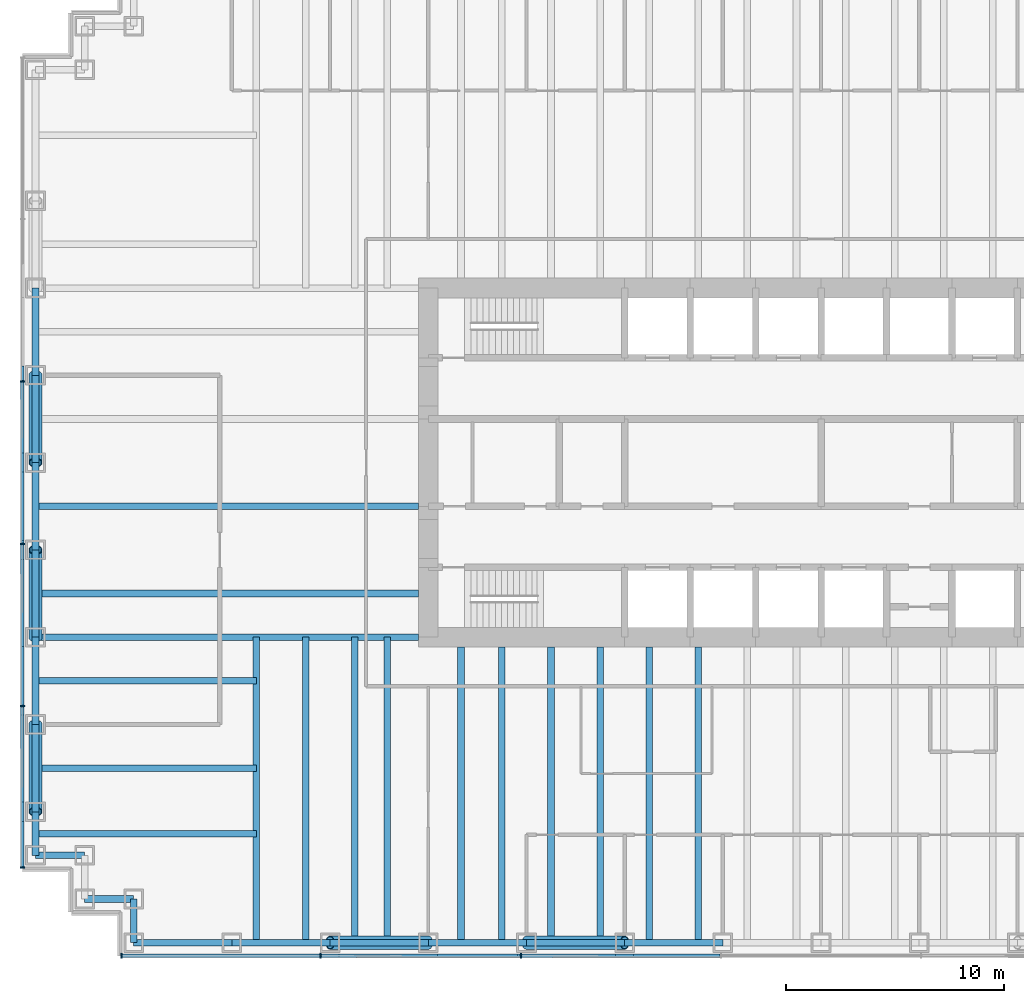
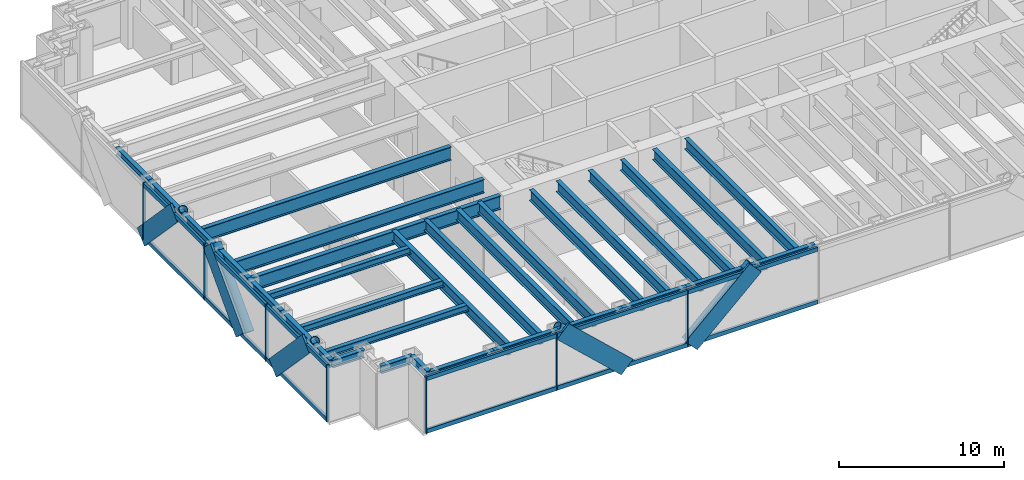
# One storey, part 2 of 16: 32 beams, 29 members, 2 elements without a shape of their own.
"""IFC4 building model written with IfcOpenShell, lengths in metres."""

from ifc_helpers import new_model, si_unit, direction, frame, origin, origin_2d, place, context, subcontext, project, spatial, rectangle, hollow_circle, i_section, extrude, material, material_profile, profile_set, type_object, element, aggregate, save


model = new_model("IFC4")

# Units and contexts
model_context = context("Model", 3, precision=1e-05, world=origin(), true_north=direction((0.0, 1.0)))
body_context = subcontext(model_context, "Body", "Model", "MODEL_VIEW")
ifc_project = project(units=[si_unit("LENGTHUNIT", "METRE"), si_unit("AREAUNIT", "SQUARE_METRE"), si_unit("VOLUMEUNIT", "CUBIC_METRE"), si_unit("PLANEANGLEUNIT", "RADIAN"), si_unit("MASSUNIT", "GRAM", prefix="KILO")], contexts=[model_context])

# Site, building, storey
site_placement = place(None, origin())
site = spatial("IfcSite", under=ifc_project, at=site_placement, CompositionType="ELEMENT")
building_placement = place(site_placement, origin())
building = spatial("IfcBuilding", under=site, at=building_placement, Name="Rheinbord Bourse Tower", CompositionType="ELEMENT")
storey_placement = place(building_placement, frame((0.0, 0.0, 171.89990234375)))
storey = spatial("IfcBuildingStorey", under=building, at=storey_placement, Name="L38", CompositionType="ELEMENT", Elevation=171.89990234375)

# Curtain wall, members
ifc_material_1 = material(Name="Dark glass and black aluminium", Category="aluminium")
curtain_wall_type = type_object("IfcCurtainWallType", Name="CW2 DARK GLASS CURTAIN WALL", PredefinedType="USERDEFINED", material=ifc_material_1)
curtain_wall_1_placement = place(storey_placement, origin())
curtain_wall_1 = element("IfcCurtainWall", 1, at=curtain_wall_1_placement, inside=storey, type_object=curtain_wall_type, Name="Curtain wall CW2 S L38", ObjectType="UNITISED CURTAIN WALL", PredefinedType="USERDEFINED")
ifc_material_2 = material(Name="Black anodised aluminium", Category="aluminium")
ifc_material_profile_1 = material_profile(ifc_material_2, rectangle(XDim=0.159912109375, YDim=1.2099609375, at=origin_2d()), Name="CW2 DIAGONAL MULLION 1210x160")
ifc_profile_set_1 = profile_set([ifc_material_profile_1], Name="Black anodised aluminium")
member_type_1 = type_object("IfcMemberType", Name="CW2 BLACK DIAGONAL MULLION", PredefinedType="USERDEFINED", material=ifc_profile_set_1)
member_1_placement = place(storey_placement, frame((18.0, 1.39990234375, 0.0), z_axis=(-0.731039441158, 0.0, 0.682335207557), x_axis=(0.0, -1.0, 0.0)))
member_1 = element("IfcMember", 2, at=member_1_placement, type_object=member_type_1, Name="CW2 diagonal mullion b", ObjectType="DIAGONAL MULLION", PredefinedType="USERDEFINED", context=body_context, shape_type="SweptSolid", body=[
    extrude(rectangle(XDim=0.159912109375, YDim=1.2099609375, at=origin_2d()), origin(), (0.0, 0.0, 1.0), 6.155517578125),
])
member_2_placement = place(storey_placement, frame((22.5, 1.39990234375, 0.0), z_axis=(0.731039441158, 0.0, 0.682335207557), x_axis=(0.0, 1.0, 0.0)))
member_2 = element("IfcMember", 3, at=member_2_placement, type_object=member_type_1, Name="CW2 diagonal mullion d", ObjectType="DIAGONAL MULLION", PredefinedType="USERDEFINED", context=body_context, shape_type="SweptSolid", body=[
    extrude(rectangle(XDim=0.159912109375, YDim=1.2099609375, at=origin_2d()), origin(), (0.0, 0.0, 1.0), 6.155517578125),
])

curtain_wall_2_placement = place(storey_placement, origin())
curtain_wall_2 = element("IfcCurtainWall", 4, at=curtain_wall_2_placement, inside=storey, type_object=curtain_wall_type, Name="Curtain wall CW2 W L38", ObjectType="UNITISED CURTAIN WALL", PredefinedType="USERDEFINED")
member_3_placement = place(storey_placement, frame((-0.60009765625, 16.0, 0.0), z_axis=(0.0, 0.689638355374, 0.72415394689), x_axis=(-1.0, 0.0, 0.0)))
member_3 = element("IfcMember", 5, at=member_3_placement, type_object=member_type_1, Name="CW2 diagonal mullion a", ObjectType="DIAGONAL MULLION", PredefinedType="USERDEFINED", context=body_context, shape_type="SweptSolid", body=[
    extrude(rectangle(XDim=0.159912109375, YDim=1.2099609375, at=origin_2d()), origin(), (0.0, 0.0, 1.0), 5.800048828125),
])
member_4_placement = place(storey_placement, frame((-0.60009765625, 28.0, 0.0), z_axis=(0.0, -0.689638355374, 0.72415394689), x_axis=(1.0, 0.0, 0.0)))
member_4 = element("IfcMember", 6, at=member_4_placement, type_object=member_type_1, Name="CW2 diagonal mullion b", ObjectType="DIAGONAL MULLION", PredefinedType="USERDEFINED", context=body_context, shape_type="SweptSolid", body=[
    extrude(rectangle(XDim=0.159912109375, YDim=1.2099609375, at=origin_2d()), origin(), (0.0, 0.0, 1.0), 5.800048828125),
])
member_5_placement = place(storey_placement, frame((-0.60009765625, 12.0, 0.0), z_axis=(0.0, -0.689638355374, 0.72415394689), x_axis=(1.0, 0.0, 0.0)))
member_5 = element("IfcMember", 7, at=member_5_placement, type_object=member_type_1, Name="CW2 diagonal mullion d", ObjectType="DIAGONAL MULLION", PredefinedType="USERDEFINED", context=body_context, shape_type="SweptSolid", body=[
    extrude(rectangle(XDim=0.159912109375, YDim=1.2099609375, at=origin_2d()), origin(), (0.0, 0.0, 1.0), 5.800048828125),
])

# Member
ifc_material_3 = material(Name="Black anodised aluminium", Category="aluminium")
ifc_material_profile_2 = material_profile(ifc_material_3, rectangle(XDim=0.219970703125, YDim=0.070068359375, at=origin_2d()), Name="CW2 MULLION 70x220")
ifc_profile_set_2 = profile_set([ifc_material_profile_2], Name="Black anodised aluminium")
member_type_2 = type_object("IfcMemberType", Name="CW2 BLACK MULLION", PredefinedType="MULLION", material=ifc_profile_set_2)
member_6_placement = place(storey_placement, frame((3.93505859375, 1.39990234375, 0.0), z_axis=(0.0, 0.0, 1.0), x_axis=(0.0, 1.0, 0.0)))
member_6 = element("IfcMember", 8, at=member_6_placement, type_object=member_type_2, Name="CW2 mullion 1", PredefinedType="MULLION", context=body_context, shape_type="SweptSolid", body=[
    extrude(rectangle(XDim=0.219970703125, YDim=0.070068359375, at=origin_2d()), origin(), (0.0, 0.0, 1.0), 4.2001953125),
])

member_7_placement = place(storey_placement, frame((13.071533203125, 1.39990234375, 0.0), z_axis=(0.0, 0.0, 1.0), x_axis=(0.0, 1.0, 0.0)))
member_7 = element("IfcMember", 9, at=member_7_placement, type_object=member_type_2, Name="CW2 mullion 2", PredefinedType="MULLION", context=body_context, shape_type="SweptSolid", body=[
    extrude(rectangle(XDim=0.219970703125, YDim=0.070068359375, at=origin_2d()), origin(), (0.0, 0.0, 1.0), 4.2001953125),
])

member_8_placement = place(storey_placement, frame((22.242919921875, 1.39990234375, 0.0), z_axis=(0.0, 0.0, 1.0), x_axis=(0.0, 1.0, 0.0)))
member_8 = element("IfcMember", 10, at=member_8_placement, type_object=member_type_2, Name="CW2 mullion 3", PredefinedType="MULLION", context=body_context, shape_type="SweptSolid", body=[
    extrude(rectangle(XDim=0.219970703125, YDim=0.070068359375, at=origin_2d()), origin(), (0.0, 0.0, 1.0), 4.2001953125),
])

member_9_placement = place(storey_placement, frame((-0.60009765625, 27.719970703125, 0.0), z_axis=(0.0, 0.0, 1.0), x_axis=(1.0, 0.0, 0.0)))
member_9 = element("IfcMember", 11, at=member_9_placement, type_object=member_type_2, Name="CW2 mullion 3", PredefinedType="MULLION", context=body_context, shape_type="SweptSolid", body=[
    extrude(rectangle(XDim=0.219970703125, YDim=0.070068359375, at=origin_2d()), origin(), (0.0, 0.0, 1.0), 4.2001953125),
])

member_10_placement = place(storey_placement, frame((-0.60009765625, 20.280029296875, 0.0), z_axis=(0.0, 0.0, 1.0), x_axis=(1.0, 0.0, 0.0)))
member_10 = element("IfcMember", 12, at=member_10_placement, type_object=member_type_2, Name="CW2 mullion 4", PredefinedType="MULLION", context=body_context, shape_type="SweptSolid", body=[
    extrude(rectangle(XDim=0.219970703125, YDim=0.070068359375, at=origin_2d()), origin(), (0.0, 0.0, 1.0), 4.2001953125),
])

member_11_placement = place(storey_placement, frame((-0.60009765625, 12.840087890625, 0.0), z_axis=(0.0, 0.0, 1.0), x_axis=(1.0, 0.0, 0.0)))
member_11 = element("IfcMember", 13, at=member_11_placement, type_object=member_type_2, Name="CW2 mullion 5", PredefinedType="MULLION", context=body_context, shape_type="SweptSolid", body=[
    extrude(rectangle(XDim=0.219970703125, YDim=0.070068359375, at=origin_2d()), origin(), (0.0, 0.0, 1.0), 4.2001953125),
])

member_12_placement = place(storey_placement, frame((-0.60009765625, 5.43505859375, 0.0), z_axis=(0.0, 0.0, 1.0), x_axis=(1.0, 0.0, 0.0)))
member_12 = element("IfcMember", 14, at=member_12_placement, type_object=member_type_2, Name="CW2 mullion 6", PredefinedType="MULLION", context=body_context, shape_type="SweptSolid", body=[
    extrude(rectangle(XDim=0.219970703125, YDim=0.070068359375, at=origin_2d()), origin(), (0.0, 0.0, 1.0), 4.2001953125),
])

ifc_material_4 = material(Name="Black anodised aluminium", Category="aluminium")
ifc_material_profile_3 = material_profile(ifc_material_4, rectangle(XDim=0.159912109375, YDim=0.300048828125, at=origin_2d()), Name="CW2 TRANSOM 300x160")
ifc_profile_set_3 = profile_set([ifc_material_profile_3], Name="Black anodised aluminium")
member_type_3 = type_object("IfcMemberType", Name="CW2 BLACK TRANSOM", PredefinedType="USERDEFINED", material=ifc_profile_set_3)
member_13_placement = place(storey_placement, frame((3.969970703125, 1.39990234375, 0.150146484375), z_axis=(1.0, 0.0, 0.0), x_axis=(0.0, 1.0, 0.0)))
member_13 = element("IfcMember", 15, at=member_13_placement, type_object=member_type_3, Name="CW2 transom 1.1", ObjectType="TRANSOM", PredefinedType="USERDEFINED", context=body_context, shape_type="SweptSolid", body=[
    extrude(rectangle(XDim=0.159912109375, YDim=0.300048828125, at=origin_2d()), origin(), (0.0, 0.0, 1.0), 9.06640625),
])

member_14_placement = place(storey_placement, frame((3.969970703125, 1.39990234375, 4.050048828125), z_axis=(1.0, 0.0, 0.0), x_axis=(0.0, 1.0, 0.0)))
member_14 = element("IfcMember", 16, at=member_14_placement, type_object=member_type_3, Name="CW2 transom 1.2", ObjectType="TRANSOM", PredefinedType="USERDEFINED", context=body_context, shape_type="SweptSolid", body=[
    extrude(rectangle(XDim=0.159912109375, YDim=0.300048828125, at=origin_2d()), origin(), (0.0, 0.0, 1.0), 9.06640625),
])

member_15_placement = place(storey_placement, frame((13.1064453125, 1.39990234375, 0.150146484375), z_axis=(1.0, 0.0, 0.0), x_axis=(0.0, 1.0, 0.0)))
member_15 = element("IfcMember", 17, at=member_15_placement, type_object=member_type_3, Name="CW2 transom 2.1", ObjectType="TRANSOM", PredefinedType="USERDEFINED", context=body_context, shape_type="SweptSolid", body=[
    extrude(rectangle(XDim=0.159912109375, YDim=0.300048828125, at=origin_2d()), origin(), (0.0, 0.0, 1.0), 9.101318359375),
])

member_16_placement = place(storey_placement, frame((13.1064453125, 1.39990234375, 4.050048828125), z_axis=(1.0, 0.0, 0.0), x_axis=(0.0, 1.0, 0.0)))
member_16 = element("IfcMember", 18, at=member_16_placement, type_object=member_type_3, Name="CW2 transom 2.2", ObjectType="TRANSOM", PredefinedType="USERDEFINED", context=body_context, shape_type="SweptSolid", body=[
    extrude(rectangle(XDim=0.159912109375, YDim=0.300048828125, at=origin_2d()), origin(), (0.0, 0.0, 1.0), 9.101318359375),
])

member_17_placement = place(storey_placement, frame((22.27783203125, 1.39990234375, 0.150146484375), z_axis=(1.0, 0.0, 0.0), x_axis=(0.0, 1.0, 0.0)))
member_17 = element("IfcMember", 19, at=member_17_placement, type_object=member_type_3, Name="CW2 transom 3.1", ObjectType="TRANSOM", PredefinedType="USERDEFINED", context=body_context, shape_type="SweptSolid", body=[
    extrude(rectangle(XDim=0.159912109375, YDim=0.300048828125, at=origin_2d()), origin(), (0.0, 0.0, 1.0), 9.1015625),
])

member_18_placement = place(storey_placement, frame((22.27783203125, 1.39990234375, 4.050048828125), z_axis=(1.0, 0.0, 0.0), x_axis=(0.0, 1.0, 0.0)))
member_18 = element("IfcMember", 20, at=member_18_placement, type_object=member_type_3, Name="CW2 transom 3.2", ObjectType="TRANSOM", PredefinedType="USERDEFINED", context=body_context, shape_type="SweptSolid", body=[
    extrude(rectangle(XDim=0.159912109375, YDim=0.300048828125, at=origin_2d()), origin(), (0.0, 0.0, 1.0), 9.1015625),
])

aggregate(curtain_wall_1, [member_6, member_7, member_8, member_13, member_14, member_15, member_16, member_17, member_18, member_1, member_2])

member_19_placement = place(storey_placement, frame((-0.60009765625, 27.68505859375, 0.150146484375), z_axis=(0.0, -1.0, 0.0), x_axis=(1.0, 0.0, 0.0)))
member_19 = element("IfcMember", 21, at=member_19_placement, type_object=member_type_3, Name="CW2 transom 3.1", ObjectType="TRANSOM", PredefinedType="USERDEFINED", context=body_context, shape_type="SweptSolid", body=[
    extrude(rectangle(XDim=0.159912109375, YDim=0.300048828125, at=origin_2d()), origin(), (0.0, 0.0, 1.0), 7.3701171875),
])

member_20_placement = place(storey_placement, frame((-0.60009765625, 27.68505859375, 4.050048828125), z_axis=(0.0, -1.0, 0.0), x_axis=(1.0, 0.0, 0.0)))
member_20 = element("IfcMember", 22, at=member_20_placement, type_object=member_type_3, Name="CW2 transom 3.2", ObjectType="TRANSOM", PredefinedType="USERDEFINED", context=body_context, shape_type="SweptSolid", body=[
    extrude(rectangle(XDim=0.159912109375, YDim=0.300048828125, at=origin_2d()), origin(), (0.0, 0.0, 1.0), 7.3701171875),
])

member_21_placement = place(storey_placement, frame((-0.60009765625, 20.2451171875, 0.150146484375), z_axis=(0.0, -1.0, 0.0), x_axis=(1.0, 0.0, 0.0)))
member_21 = element("IfcMember", 23, at=member_21_placement, type_object=member_type_3, Name="CW2 transom 4.1", ObjectType="TRANSOM", PredefinedType="USERDEFINED", context=body_context, shape_type="SweptSolid", body=[
    extrude(rectangle(XDim=0.159912109375, YDim=0.300048828125, at=origin_2d()), origin(), (0.0, 0.0, 1.0), 7.3701171875),
])

member_22_placement = place(storey_placement, frame((-0.60009765625, 20.2451171875, 4.050048828125), z_axis=(0.0, -1.0, 0.0), x_axis=(1.0, 0.0, 0.0)))
member_22 = element("IfcMember", 24, at=member_22_placement, type_object=member_type_3, Name="CW2 transom 4.2", ObjectType="TRANSOM", PredefinedType="USERDEFINED", context=body_context, shape_type="SweptSolid", body=[
    extrude(rectangle(XDim=0.159912109375, YDim=0.300048828125, at=origin_2d()), origin(), (0.0, 0.0, 1.0), 7.3701171875),
])

member_23_placement = place(storey_placement, frame((-0.60009765625, 12.804931640625, 0.150146484375), z_axis=(0.0, -1.0, 0.0), x_axis=(1.0, 0.0, 0.0)))
member_23 = element("IfcMember", 25, at=member_23_placement, type_object=member_type_3, Name="CW2 transom 5.1", ObjectType="TRANSOM", PredefinedType="USERDEFINED", context=body_context, shape_type="SweptSolid", body=[
    extrude(rectangle(XDim=0.159912109375, YDim=0.300048828125, at=origin_2d()), origin(), (0.0, 0.0, 1.0), 7.3349609375),
])

member_24_placement = place(storey_placement, frame((-0.60009765625, 12.804931640625, 4.050048828125), z_axis=(0.0, -1.0, 0.0), x_axis=(1.0, 0.0, 0.0)))
member_24 = element("IfcMember", 26, at=member_24_placement, type_object=member_type_3, Name="CW2 transom 5.2", ObjectType="TRANSOM", PredefinedType="USERDEFINED", context=body_context, shape_type="SweptSolid", body=[
    extrude(rectangle(XDim=0.159912109375, YDim=0.300048828125, at=origin_2d()), origin(), (0.0, 0.0, 1.0), 7.3349609375),
])

aggregate(curtain_wall_2, [member_9, member_10, member_11, member_12, member_19, member_20, member_21, member_22, member_23, member_24, member_3, member_4, member_5])

# Beams
ifc_material_5 = material(Name="Steel S460", Category="steel")
ifc_material_profile_4 = material_profile(ifc_material_5, i_section(OverallWidth=0.302001953125, OverallDepth=1.008056640625, WebThickness=0.02099609375, FlangeThickness=0.0400390625, at=origin_2d()), Name="HEM 1000")
ifc_profile_set_4 = profile_set([ifc_material_profile_4], Name="Steel S460")
beam_type_1 = type_object("IfcBeamType", Name="END BEAM HEM 1000", PredefinedType="BEAM", material=ifc_profile_set_4)
for number, where, z_axis, x_axis, name in (
    (27, (0.0, 18.0, 3.5361328125), (1.0, 0.0, 0.0), (0.0, 1.0, 0.0), "End beam west 18 L39"),
    (28, (0.0, 22.0, 3.5361328125), (1.0, 0.0, 0.0), (0.0, 1.0, 0.0), "End beam west 22 L39"),
):
    element("IfcBeam", number, at=place(storey_placement, frame(where, z_axis=z_axis, x_axis=x_axis)), inside=storey, type_object=beam_type_1, Name=name, PredefinedType="BEAM", context=body_context, shape_type="SweptSolid", body=[
        extrude(i_section(OverallWidth=0.302001953125, OverallDepth=1.008056640625, WebThickness=0.02099609375, FlangeThickness=0.0400390625, at=origin_2d()), origin(), (0.0, 0.0, 1.0), 17.550048828125),
    ])
ifc_material_6 = material(Name="Steel S460", Category="steel")
ifc_material_profile_5 = material_profile(ifc_material_6, i_section(OverallWidth=0.300048828125, OverallDepth=0.800048828125, WebThickness=0.017578125, FlangeThickness=0.032958984375, at=origin_2d()), Name="HEB 800")
ifc_profile_set_5 = profile_set([ifc_material_profile_5], Name="Steel S460")
beam_type_2 = type_object("IfcBeamType", Name="FLOOR BEAM HEB 800", PredefinedType="BEAM", material=ifc_profile_set_5)
for number, where, z_axis, x_axis, name in (
    (29, (10.125, 2.0, 3.64013671875), (0.0, 1.0, 0.0), (-1.0, 0.0, 0.0), "Floor beam S-9a L39"),
    (30, (12.375, 2.0, 3.64013671875), (0.0, 1.0, 0.0), (-1.0, 0.0, 0.0), "Floor beam S-9b L39"),
    (31, (14.625, 2.0, 3.64013671875), (0.0, 1.0, 0.0), (-1.0, 0.0, 0.0), "Floor beam S-13.5a L39"),
    (32, (16.125, 2.0, 3.64013671875), (0.0, 1.0, 0.0), (-1.0, 0.0, 0.0), "Floor beam S-13.5b L39"),
):
    element("IfcBeam", number, at=place(storey_placement, frame(where, z_axis=z_axis, x_axis=x_axis)), inside=storey, type_object=beam_type_2, Name=name, PredefinedType="BEAM", context=body_context, shape_type="SweptSolid", body=[
        extrude(i_section(OverallWidth=0.300048828125, OverallDepth=0.800048828125, WebThickness=0.017578125, FlangeThickness=0.032958984375, at=origin_2d()), origin(), (0.0, 0.0, 1.0), 14.0),
    ])
for number, where, z_axis, x_axis, name in (
    (33, (19.5, 2.0, 3.64013671875), (0.0, 1.0, 0.0), (-1.0, 0.0, 0.0), "Floor beam S-18a L39"),
    (34, (21.375, 2.0, 3.64013671875), (0.0, 1.0, 0.0), (-1.0, 0.0, 0.0), "Floor beam S-18b L39"),
    (35, (23.625, 2.0, 3.64013671875), (0.0, 1.0, 0.0), (-1.0, 0.0, 0.0), "Floor beam S-22.5a L39"),
    (36, (25.875, 2.0, 3.64013671875), (0.0, 1.0, 0.0), (-1.0, 0.0, 0.0), "Floor beam S-22.5b L39"),
    (37, (28.125, 2.0, 3.64013671875), (0.0, 1.0, 0.0), (-1.0, 0.0, 0.0), "Floor beam S-27a L39"),
    (38, (30.375, 2.0, 3.64013671875), (0.0, 1.0, 0.0), (-1.0, 0.0, 0.0), "Floor beam S-27b L39"),
):
    element("IfcBeam", number, at=place(storey_placement, frame(where, z_axis=z_axis, x_axis=x_axis)), inside=storey, type_object=beam_type_2, Name=name, PredefinedType="BEAM", context=body_context, shape_type="SweptSolid", body=[
        extrude(i_section(OverallWidth=0.300048828125, OverallDepth=0.800048828125, WebThickness=0.017578125, FlangeThickness=0.032958984375, at=origin_2d()), origin(), (0.0, 0.0, 1.0), 13.550048828125),
    ])
ifc_material_7 = material(Name="Steel S460", Category="steel")
ifc_material_profile_6 = material_profile(ifc_material_7, i_section(OverallWidth=0.302001953125, OverallDepth=1.008056640625, WebThickness=0.02099609375, FlangeThickness=0.0400390625, at=origin_2d()), Name="HEM 1000")
ifc_profile_set_6 = profile_set([ifc_material_profile_6], Name="Steel S460")
beam_type_3 = type_object("IfcBeamType", Name="GIRDER HEM 1000", PredefinedType="BEAM", material=ifc_profile_set_6)
beam_1_placement = place(storey_placement, frame((0.0, 16.0, 3.5361328125), z_axis=(1.0, 0.0, 0.0), x_axis=(0.0, 1.0, 0.0)))
element("IfcBeam", 39, at=beam_1_placement, inside=storey, type_object=beam_type_3, Name="Girder west 16 L39", PredefinedType="BEAM", context=body_context, shape_type="SweptSolid", body=[
    extrude(i_section(OverallWidth=0.302001953125, OverallDepth=1.008056640625, WebThickness=0.02099609375, FlangeThickness=0.0400390625, at=origin_2d()), origin(), (0.0, 0.0, 1.0), 17.550048828125),
])

# Members
ifc_material_8 = material(Name="Steel S460", Category="steel")
ifc_material_profile_7 = material_profile(ifc_material_8, hollow_circle(Radius=0.304931640625, WallThickness=0.0400390625, at=origin_2d()), Name="CHS 610x40")
ifc_profile_set_7 = profile_set([ifc_material_profile_7], Name="Steel S460")
member_type_4 = type_object("IfcMemberType", Name="MEGABRACE CHS 610x40", PredefinedType="BRACE", material=ifc_profile_set_7)
for number, where, z_axis, x_axis, name in (
    (40, (18.0, 2.0, 0.0), (-0.731039441158, 0.0, 0.682335207557), (0.0, -1.0, 0.0), "Megabrace S face line b L38"),
    (41, (22.5, 2.0, 0.0), (0.731039441158, 0.0, 0.682335207557), (0.0, 1.0, 0.0), "Megabrace S face line d L38"),
):
    element("IfcMember", number, at=place(storey_placement, frame(where, z_axis=z_axis, x_axis=x_axis)), inside=storey, type_object=member_type_4, Name=name, PredefinedType="BRACE", context=body_context, shape_type="SweptSolid", body=[
        extrude(hollow_circle(Radius=0.304931640625, WallThickness=0.0400390625, at=origin_2d()), origin(), (0.0, 0.0, 1.0), 6.155517578125),
    ])
for number, where, z_axis, x_axis, name in (
    (42, (0.0, 16.0, 0.0), (0.0, 0.689638355374, 0.72415394689), (-1.0, 0.0, 0.0), "Megabrace W face line a L38"),
    (43, (0.0, 28.0, 0.0), (0.0, -0.689638355374, 0.72415394689), (1.0, 0.0, 0.0), "Megabrace W face line b L38"),
    (44, (0.0, 12.0, 0.0), (0.0, -0.689638355374, 0.72415394689), (1.0, 0.0, 0.0), "Megabrace W face line d L38"),
):
    element("IfcMember", number, at=place(storey_placement, frame(where, z_axis=z_axis, x_axis=x_axis)), inside=storey, type_object=member_type_4, Name=name, PredefinedType="BRACE", context=body_context, shape_type="SweptSolid", body=[
        extrude(hollow_circle(Radius=0.304931640625, WallThickness=0.0400390625, at=origin_2d()), origin(), (0.0, 0.0, 1.0), 5.800048828125),
    ])

# Beams
ifc_material_9 = material(Name="Steel S460", Category="steel")
ifc_material_profile_8 = material_profile(ifc_material_9, i_section(OverallWidth=0.305908203125, OverallDepth=0.572021484375, WebThickness=0.02099609375, FlangeThickness=0.0400390625, at=origin_2d()), Name="HEM 550")
ifc_profile_set_8 = profile_set([ifc_material_profile_8], Name="Steel S460")
beam_type_4 = type_object("IfcBeamType", Name="SPANDREL HEM 550", PredefinedType="SPANDREL", material=ifc_profile_set_8)
for number, where, z_axis, x_axis, name in (
    (45, (4.5, 2.0, 3.754150390625), (1.0, 0.0, 0.0), (0.0, 1.0, 0.0), "Spandrel SW-E-S-9 under L39"),
    (46, (9.0, 2.0, 3.754150390625), (1.0, 0.0, 0.0), (0.0, 1.0, 0.0), "Spandrel S-9-S-13.5 under L39"),
    (47, (13.5, 2.0, 3.754150390625), (1.0, 0.0, 0.0), (0.0, 1.0, 0.0), "Spandrel S-13.5-S-18 under L39"),
    (48, (18.0, 2.0, 3.754150390625), (1.0, 0.0, 0.0), (0.0, 1.0, 0.0), "Spandrel S-18-S-22.5 under L39"),
    (49, (22.5, 2.0, 3.754150390625), (1.0, 0.0, 0.0), (0.0, 1.0, 0.0), "Spandrel S-22.5-S-27 under L39"),
    (50, (27.0, 2.0, 3.754150390625), (1.0, 0.0, 0.0), (0.0, 1.0, 0.0), "Spandrel S-27-S-31.5 under L39"),
):
    element("IfcBeam", number, at=place(storey_placement, frame(where, z_axis=z_axis, x_axis=x_axis)), inside=storey, type_object=beam_type_4, Name=name, PredefinedType="SPANDREL", context=body_context, shape_type="SweptSolid", body=[
        extrude(i_section(OverallWidth=0.305908203125, OverallDepth=0.572021484375, WebThickness=0.02099609375, FlangeThickness=0.0400390625, at=origin_2d()), origin(), (0.0, 0.0, 1.0), 4.5),
    ])
for number, where, z_axis, x_axis, name in (
    (51, (0.0, 32.0, 3.754150390625), (0.0, -1.0, 0.0), (1.0, 0.0, 0.0), "Spandrel W-32-W-28 under L39"),
    (52, (0.0, 28.0, 3.754150390625), (0.0, -1.0, 0.0), (1.0, 0.0, 0.0), "Spandrel W-28-W-24 under L39"),
    (53, (0.0, 24.0, 3.754150390625), (0.0, -1.0, 0.0), (1.0, 0.0, 0.0), "Spandrel W-24-W-20 under L39"),
    (54, (0.0, 20.0, 3.754150390625), (0.0, -1.0, 0.0), (1.0, 0.0, 0.0), "Spandrel W-20-W-16 under L39"),
    (55, (0.0, 16.0, 3.754150390625), (0.0, -1.0, 0.0), (1.0, 0.0, 0.0), "Spandrel W-16-W-12 under L39"),
    (56, (0.0, 12.0, 3.754150390625), (0.0, -1.0, 0.0), (1.0, 0.0, 0.0), "Spandrel W-12-W-8 under L39"),
):
    element("IfcBeam", number, at=place(storey_placement, frame(where, z_axis=z_axis, x_axis=x_axis)), inside=storey, type_object=beam_type_4, Name=name, PredefinedType="SPANDREL", context=body_context, shape_type="SweptSolid", body=[
        extrude(i_section(OverallWidth=0.305908203125, OverallDepth=0.572021484375, WebThickness=0.02099609375, FlangeThickness=0.0400390625, at=origin_2d()), origin(), (0.0, 0.0, 1.0), 4.0),
    ])
beam_2_placement = place(storey_placement, frame((0.0, 8.0, 3.754150390625), z_axis=(0.0, -1.0, 0.0), x_axis=(1.0, 0.0, 0.0)))
element("IfcBeam", 57, at=beam_2_placement, inside=storey, type_object=beam_type_4, Name="Spandrel W-8-SW-A under L39", PredefinedType="SPANDREL", context=body_context, shape_type="SweptSolid", body=[
    extrude(i_section(OverallWidth=0.305908203125, OverallDepth=0.572021484375, WebThickness=0.02099609375, FlangeThickness=0.0400390625, at=origin_2d()), origin(), (0.0, 0.0, 1.0), 2.0),
])
for number, where, z_axis, x_axis, name in (
    (58, (0.0, 6.0, 3.754150390625), (1.0, 0.0, 0.0), (0.0, 1.0, 0.0), "Spandrel SW-A-SW-B under L39"),
    (59, (2.25, 4.0, 3.754150390625), (1.0, 0.0, 0.0), (0.0, 1.0, 0.0), "Spandrel SW-C-SW-D under L39"),
):
    element("IfcBeam", number, at=place(storey_placement, frame(where, z_axis=z_axis, x_axis=x_axis)), inside=storey, type_object=beam_type_4, Name=name, PredefinedType="SPANDREL", context=body_context, shape_type="SweptSolid", body=[
        extrude(i_section(OverallWidth=0.305908203125, OverallDepth=0.572021484375, WebThickness=0.02099609375, FlangeThickness=0.0400390625, at=origin_2d()), origin(), (0.0, 0.0, 1.0), 2.25),
    ])
beam_3_placement = place(storey_placement, frame((4.5, 4.0, 3.754150390625), z_axis=(0.0, -1.0, 0.0), x_axis=(1.0, 0.0, 0.0)))
element("IfcBeam", 60, at=beam_3_placement, inside=storey, type_object=beam_type_4, Name="Spandrel SW-D-SW-E under L39", PredefinedType="SPANDREL", context=body_context, shape_type="SweptSolid", body=[
    extrude(i_section(OverallWidth=0.305908203125, OverallDepth=0.572021484375, WebThickness=0.02099609375, FlangeThickness=0.0400390625, at=origin_2d()), origin(), (0.0, 0.0, 1.0), 2.0),
])
ifc_material_10 = material(Name="Steel S460", Category="steel")
ifc_material_profile_9 = material_profile(ifc_material_10, i_section(OverallWidth=0.300048828125, OverallDepth=0.5, WebThickness=0.014404296875, FlangeThickness=0.028076171875, at=origin_2d()), Name="HEB 500")
ifc_profile_set_9 = profile_set([ifc_material_profile_9], Name="Steel S460")
beam_type_5 = type_object("IfcBeamType", Name="TIE BEAM HEB 500", PredefinedType="JOIST", material=ifc_profile_set_9)
for number, where, z_axis, x_axis, name in (
    (61, (0.0, 7.0, 3.7900390625), (1.0, 0.0, 0.0), (0.0, 1.0, 0.0), "Tie west 7 L39"),
    (62, (0.0, 10.0, 3.7900390625), (1.0, 0.0, 0.0), (0.0, 1.0, 0.0), "Tie west 10 L39"),
    (63, (0.0, 14.0, 3.7900390625), (1.0, 0.0, 0.0), (0.0, 1.0, 0.0), "Tie west 14 L39"),
):
    element("IfcBeam", number, at=place(storey_placement, frame(where, z_axis=z_axis, x_axis=x_axis)), inside=storey, type_object=beam_type_5, Name=name, PredefinedType="JOIST", context=body_context, shape_type="SweptSolid", body=[
        extrude(i_section(OverallWidth=0.300048828125, OverallDepth=0.5, WebThickness=0.014404296875, FlangeThickness=0.028076171875, at=origin_2d()), origin(), (0.0, 0.0, 1.0), 10.125),
    ])

save(model, "model.ifc")
